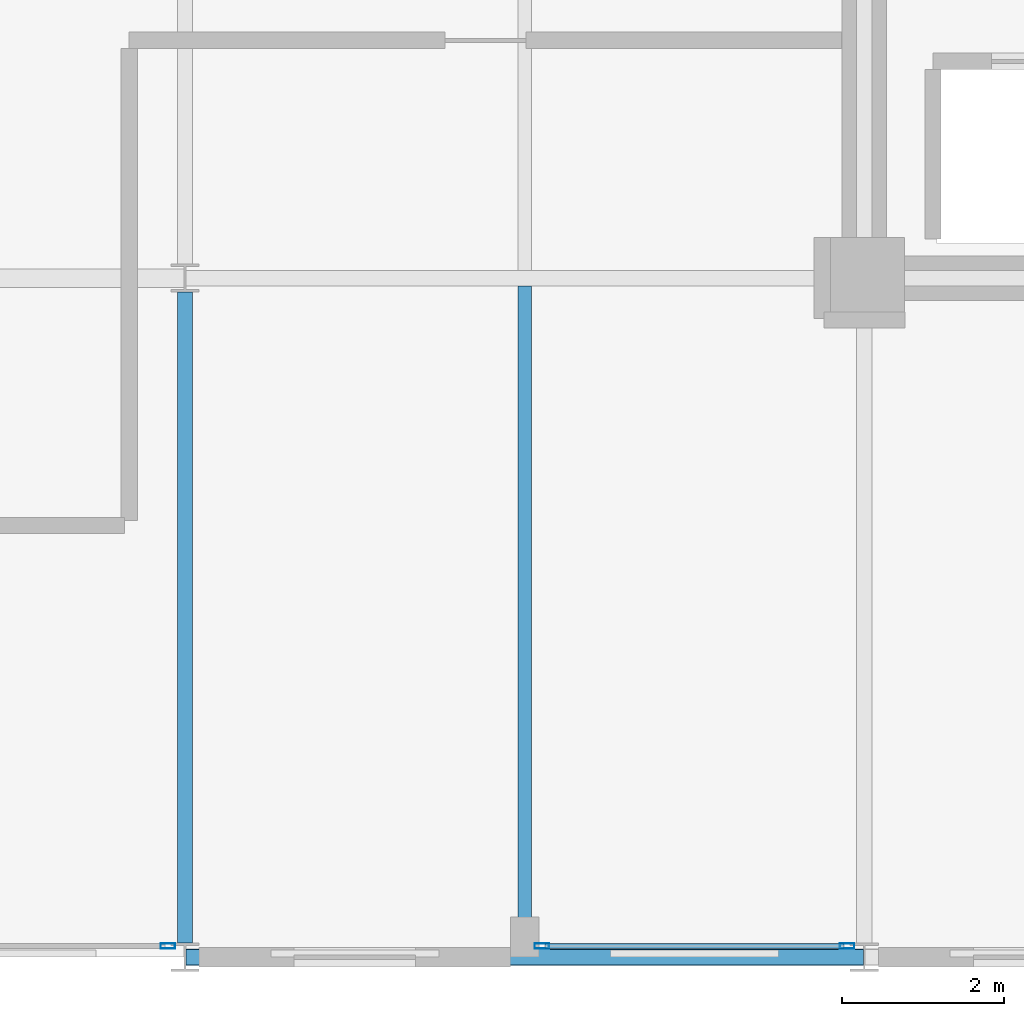
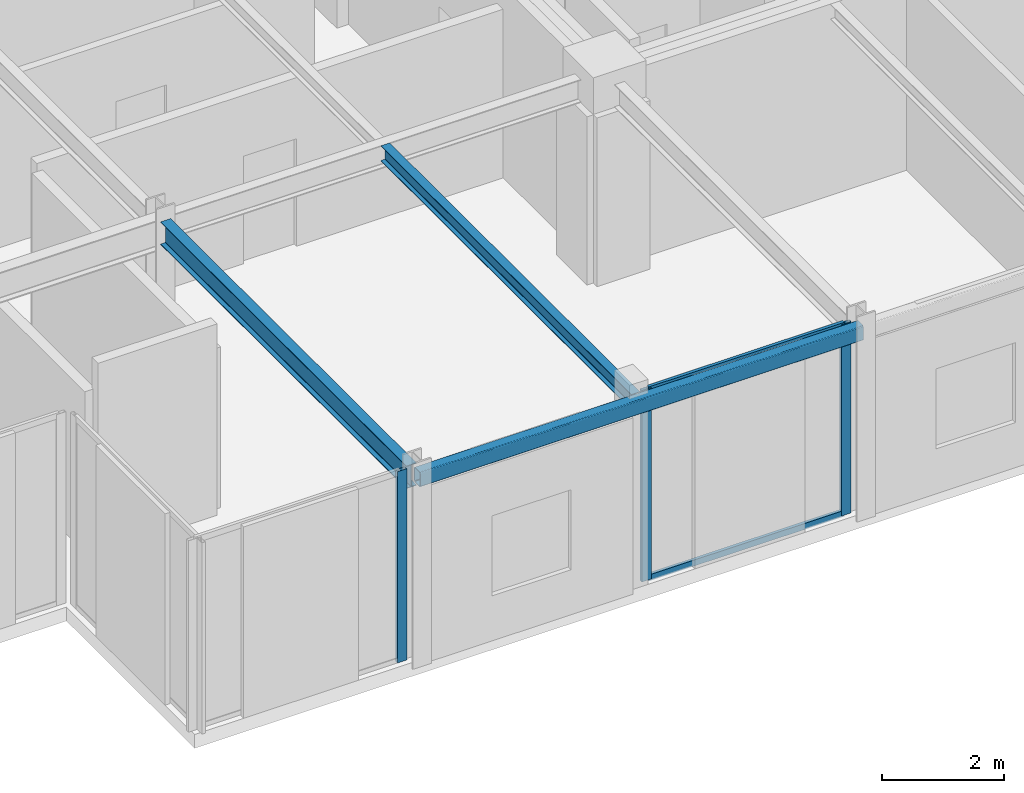
# One storey, part 6 of 29: 5 members, 3 beams, 2 elements without a shape of their own.
"""IFC4 building model written with IfcOpenShell, lengths in metres."""

from ifc_helpers import new_model, si_unit, direction, frame, origin, origin_2d, place, context, subcontext, project, spatial, hollow_rectangle, i_section, extrude, material, layer, layer_set, material_profile, profile_set, type_object, element, aggregate, save


model = new_model("IFC4")

# Units and contexts
model_context = context("Model", 3, precision=1e-05, world=origin(), true_north=direction((0.0, 1.0)))
body_context = subcontext(model_context, "Body", "Model", "MODEL_VIEW")
ifc_project = project(units=[si_unit("LENGTHUNIT", "METRE"), si_unit("AREAUNIT", "SQUARE_METRE"), si_unit("VOLUMEUNIT", "CUBIC_METRE"), si_unit("PLANEANGLEUNIT", "RADIAN"), si_unit("MASSUNIT", "GRAM", prefix="KILO")], contexts=[model_context])

# Site, building, storey
site_placement = place(None, origin())
site = spatial("IfcSite", under=ifc_project, at=site_placement, CompositionType="ELEMENT")
building_placement = place(site_placement, origin())
building = spatial("IfcBuilding", under=site, at=building_placement, Name="Nerrivon Quay Data Exchange", CompositionType="ELEMENT")
storey_placement = place(building_placement, frame((0.0, 0.0, 196.0)))
storey = spatial("IfcBuildingStorey", under=building, at=storey_placement, Name="L46", CompositionType="ELEMENT", Elevation=196.0)

# Beams
ifc_material_1 = material(Name="Steel Grade 350", Category="steel")
ifc_material_profile_1 = material_profile(ifc_material_1, i_section(OverallWidth=0.18994140625, OverallDepth=0.4541015625, WebThickness=0.008544921875, FlangeThickness=0.0126953125, FilletRadius=0.011474609375, at=origin_2d()), Name="460UB67.1")
ifc_profile_set_1 = profile_set([ifc_material_profile_1], Name="Steel Grade 350")
beam_type_1 = type_object("IfcBeamType", Name="BM-G6-460UB67", PredefinedType="BEAM", material=ifc_profile_set_1)
beam_1_placement = place(storey_placement, frame((8.39990234375, 0.175048828125, 3.597900390625), z_axis=(0.0, 1.0, 0.0), x_axis=(-1.0, 0.0, 0.0)))
element("IfcBeam", 1, at=beam_1_placement, inside=storey, type_object=beam_type_1, Name="L46 NS Girder X=8.4 (0.0..8.4)", PredefinedType="BEAM", context=body_context, shape_type="SweptSolid", body=[
    extrude(i_section(OverallWidth=0.18994140625, OverallDepth=0.4541015625, WebThickness=0.008544921875, FlangeThickness=0.0126953125, FilletRadius=0.011474609375, at=origin_2d()), origin(), (0.0, 0.0, 1.0), 8.050048828125),
])
ifc_material_profile_2 = material_profile(ifc_material_1, i_section(OverallWidth=0.166015625, OverallDepth=0.306884765625, WebThickness=0.006591796875, FlangeThickness=0.01171875, FilletRadius=0.011474609375, at=origin_2d()), Name="310UB46.2")
ifc_profile_set_2 = profile_set([ifc_material_profile_2], Name="Steel Grade 350")
beam_type_2 = type_object("IfcBeamType", Name="BM-J5-310UB46", PredefinedType="JOIST", material=ifc_profile_set_2)
beam_2_placement = place(storey_placement, frame((12.60009765625, 0.10009765625, 3.67138671875), z_axis=(0.0, 1.0, 0.0), x_axis=(-1.0, 0.0, 0.0)))
element("IfcBeam", 2, at=beam_2_placement, inside=storey, type_object=beam_type_2, Name="L46 Secondary Joist X=12.6 (0.0..8.4)", PredefinedType="JOIST", context=body_context, shape_type="SweptSolid", body=[
    extrude(i_section(OverallWidth=0.166015625, OverallDepth=0.306884765625, WebThickness=0.006591796875, FlangeThickness=0.01171875, FilletRadius=0.011474609375, at=origin_2d()), origin(), (0.0, 0.0, 1.0), 8.204345703125),
])
ifc_material_2 = material(Name="Steel Grade C350L0 (350 MPa)", Category="steel")
ifc_material_profile_3 = material_profile(ifc_material_2, hollow_rectangle(XDim=0.199951171875, YDim=0.300048828125, WallThickness=0.012451171875, InnerFilletRadius=0.018798828125, OuterFilletRadius=0.03125, at=origin_2d()), Name="300x200x12.5RHS")
ifc_profile_set_3 = profile_set([ifc_material_profile_3], Name="Steel Grade C350L0 (350 MPa)")
beam_type_3 = type_object("IfcBeamType", Name="BM-SP3-300x200RHS", PredefinedType="SPANDREL", material=ifc_profile_set_3)
beam_3_placement = place(storey_placement, frame((8.409912109375, 0.0, 3.675048828125), z_axis=(1.0, 0.0, 0.0), x_axis=(0.0, 1.0, 0.0)))
element("IfcBeam", 3, at=beam_3_placement, inside=storey, type_object=beam_type_3, Name="L46 EW Girder Y=0.0 (8.4..16.8)", PredefinedType="SPANDREL", context=body_context, shape_type="SweptSolid", body=[
    extrude(hollow_rectangle(XDim=0.199951171875, YDim=0.300048828125, WallThickness=0.012451171875, InnerFilletRadius=0.018798828125, OuterFilletRadius=0.03125, at=origin_2d()), origin(), (0.0, 0.0, 1.0), 8.380126953125),
])

# Curtain wall, members
ifc_material_3 = material(Name="Anodised aluminium 6063-T6", Category="aluminium")
ifc_layer = layer(ifc_material_3, 0.195068359375)
ifc_layer_set = layer_set([ifc_layer], Name="Anodised aluminium 6063-T6")
curtain_wall_type = type_object("IfcCurtainWallType", Name="CW-SYS-06", PredefinedType="NOTDEFINED", material=ifc_layer_set)
curtain_wall_1_placement = place(storey_placement, origin())
curtain_wall_1 = element("IfcCurtainWall", 4, at=curtain_wall_1_placement, inside=storey, type_object=curtain_wall_type, Name="L46 Unitised Curtain Wall 26", PredefinedType="NOTDEFINED")
ifc_material_profile_4 = material_profile(ifc_material_3, hollow_rectangle(XDim=0.06494140625, YDim=0.179931640625, WallThickness=0.00341796875, at=origin_2d()), Name="ALU-MULL-180x65")
ifc_profile_set_4 = profile_set([ifc_material_profile_4], Name="Anodised aluminium 6063-T6")
member_type_1 = type_object("IfcMemberType", Name="CWM-180x65", PredefinedType="MULLION", material=ifc_profile_set_4)
member_1_placement = place(storey_placement, frame((16.58740234375, 0.139892578125, 0.0), z_axis=(0.0, 0.0, 1.0), x_axis=(0.0, -1.0, 0.0)))
member_1 = element("IfcMember", 5, at=member_1_placement, type_object=member_type_1, Name="CW06 mullion 1", PredefinedType="MULLION", context=body_context, shape_type="SweptSolid", body=[
    extrude(hollow_rectangle(XDim=0.06494140625, YDim=0.179931640625, WallThickness=0.00341796875, at=origin_2d()), origin(), (0.0, 0.0, 1.0), 3.824951171875),
])
member_2_placement = place(storey_placement, frame((12.8125, 0.139892578125, 0.0), z_axis=(0.0, 0.0, 1.0), x_axis=(0.0, -1.0, 0.0)))
member_2 = element("IfcMember", 6, at=member_2_placement, type_object=member_type_1, Name="CW06 mullion 2", PredefinedType="MULLION", context=body_context, shape_type="SweptSolid", body=[
    extrude(hollow_rectangle(XDim=0.06494140625, YDim=0.179931640625, WallThickness=0.00341796875, at=origin_2d()), origin(), (0.0, 0.0, 1.0), 3.824951171875),
])

# Curtain wall, member
curtain_wall_2_placement = place(storey_placement, origin())
curtain_wall_2 = element("IfcCurtainWall", 7, at=curtain_wall_2_placement, inside=storey, type_object=curtain_wall_type, Name="L46 Unitised Curtain Wall 28", PredefinedType="NOTDEFINED")
member_3_placement = place(storey_placement, frame((8.1875, 0.139892578125, 0.0), z_axis=(0.0, 0.0, 1.0), x_axis=(0.0, -1.0, 0.0)))
member_3 = element("IfcMember", 8, at=member_3_placement, type_object=member_type_1, Name="CW06 mullion 1", PredefinedType="MULLION", context=body_context, shape_type="SweptSolid", body=[
    extrude(hollow_rectangle(XDim=0.06494140625, YDim=0.179931640625, WallThickness=0.00341796875, at=origin_2d()), origin(), (0.0, 0.0, 1.0), 3.824951171875),
])
aggregate(curtain_wall_2, [member_3])

# Member
ifc_material_profile_5 = material_profile(ifc_material_3, hollow_rectangle(XDim=0.06005859375, YDim=0.1201171875, WallThickness=0.003173828125, at=origin_2d()), Name="ALU-TRAN-120x60")
ifc_profile_set_5 = profile_set([ifc_material_profile_5], Name="Anodised aluminium 6063-T6")
member_type_2 = type_object("IfcMemberType", Name="CWT-120x60", PredefinedType="USERDEFINED", material=ifc_profile_set_5)
member_4_placement = place(storey_placement, frame((16.550048828125, 0.139892578125, 0.032470703125), z_axis=(-1.0, 0.0, 0.0), x_axis=(0.0, -1.0, 0.0)))
member_4 = element("IfcMember", 9, at=member_4_placement, type_object=member_type_2, Name="CW06 transom 1.1", ObjectType="TRANSOM", PredefinedType="USERDEFINED", context=body_context, shape_type="SweptSolid", body=[
    extrude(hollow_rectangle(XDim=0.06005859375, YDim=0.1201171875, WallThickness=0.003173828125, at=origin_2d()), origin(), (0.0, 0.0, 1.0), 3.699951171875),
])

member_5_placement = place(storey_placement, frame((16.550048828125, 0.139892578125, 3.79248046875), z_axis=(-1.0, 0.0, 0.0), x_axis=(0.0, -1.0, 0.0)))
member_5 = element("IfcMember", 10, at=member_5_placement, type_object=member_type_2, Name="CW06 transom 1.2", ObjectType="TRANSOM", PredefinedType="USERDEFINED", context=body_context, shape_type="SweptSolid", body=[
    extrude(hollow_rectangle(XDim=0.06005859375, YDim=0.1201171875, WallThickness=0.003173828125, at=origin_2d()), origin(), (0.0, 0.0, 1.0), 3.699951171875),
])

aggregate(curtain_wall_1, [member_1, member_2, member_4, member_5])

save(model, "model.ifc")
